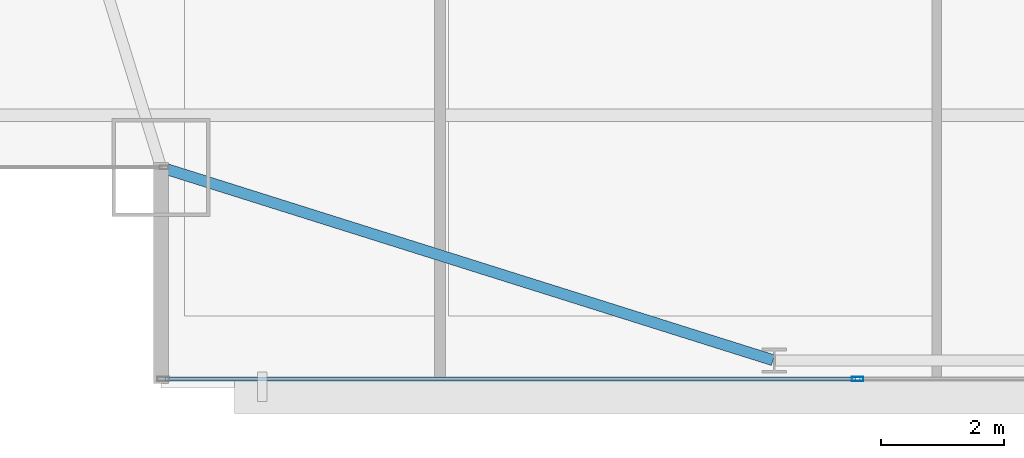
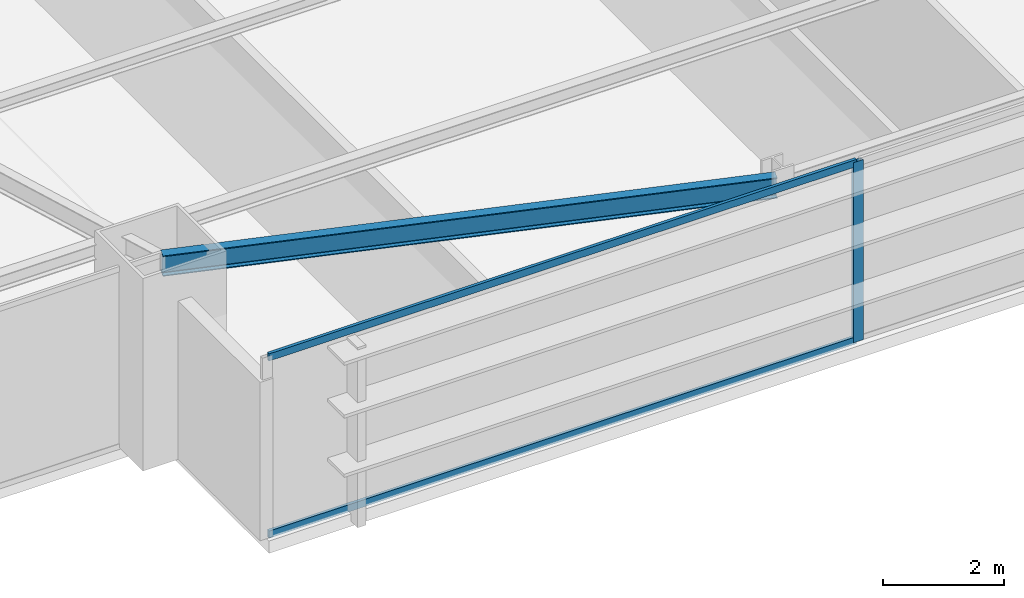
# One storey, part 4 of 32: 3 members, 1 beam, 1 element without a shape of its own.
"""IFC4 building model written with IfcOpenShell, lengths in metres."""

from ifc_helpers import new_model, si_unit, direction, frame, origin, origin_2d, place, context, subcontext, project, spatial, hollow_rectangle, i_section, extrude, source, transform, mapped, material, layer, layer_set, material_profile, profile_set, type_object, type_shapes, element, aggregate, save


model = new_model("IFC4")

# Units and contexts
model_context = context("Model", 3, precision=1e-05, world=origin(), true_north=direction((0.0, 1.0)))
body_context = subcontext(model_context, "Body", "Model", "MODEL_VIEW")
ifc_project = project(units=[si_unit("LENGTHUNIT", "METRE"), si_unit("AREAUNIT", "SQUARE_METRE"), si_unit("VOLUMEUNIT", "CUBIC_METRE"), si_unit("PLANEANGLEUNIT", "RADIAN"), si_unit("MASSUNIT", "GRAM", prefix="KILO")], contexts=[model_context])

# Site, building, storey
site_placement = place(None, origin())
site = spatial("IfcSite", under=ifc_project, at=site_placement, CompositionType="ELEMENT")
building_placement = place(site_placement, origin())
building = spatial("IfcBuilding", under=site, at=building_placement, Name="Varnel Quay Broadcast Tower", CompositionType="ELEMENT")
storey_placement = place(building_placement, frame((0.0, 0.0, 70.5)))
storey = spatial("IfcBuildingStorey", under=building, at=storey_placement, Name="L16", CompositionType="ELEMENT", Elevation=70.5)

# Beam
ifc_material_1 = material(Name="Structural Steel CSA G40.21 350W", Category="steel")
ifc_material_profile_1 = material_profile(ifc_material_1, i_section(OverallWidth=0.180908203125, OverallDepth=0.4169921875, WebThickness=0.010986328125, FlangeThickness=0.018310546875, FilletRadius=0.011962890625, at=origin_2d()), Name="W410X85")
ifc_profile_set_1 = profile_set([ifc_material_profile_1], Name="Structural Steel CSA G40.21 350W")
beam_type = type_object("IfcBeamType", Name="Beam_W410X85", PredefinedType="SPANDREL", material=ifc_profile_set_1)
shared_shape_1 = source(origin(), body_context, "Body", "SweptSolid", [
    extrude(i_section(OverallWidth=0.180908203125, OverallDepth=0.4169921875, WebThickness=0.010986328125, FlangeThickness=0.018310546875, FilletRadius=0.011962890625, at=origin_2d()), origin(), (0.0, 0.0, 1.0), 10.444091796875),
])
type_shapes(beam_type, [shared_shape_1])
beam_placement = place(storey_placement, frame((5.619140625, 4.7939453125, 3.44140625), z_axis=(0.953798277271, -0.300447743003, 0.0), x_axis=(0.300447743003, 0.953798277271, 0.0)))
element("IfcBeam", 1, at=beam_placement, inside=storey, type_object=beam_type, Name="L16 South Spandrel MC-SW-TC-S1", PredefinedType="SPANDREL", context=body_context, shape_type="MappedRepresentation", body=[
    mapped(shared_shape_1, transform((0.0, 0.0, 0.0), x_axis=(1.0, 0.0, 0.0), y_axis=(0.0, 1.0, 0.0), z_axis=(0.0, 0.0, 1.0), scale=1.0)),
])

# Curtain wall, members
ifc_material_2 = material(Name="Anodised Bronze Aluminium 6063-T6", Category="aluminium")
ifc_layer = layer(ifc_material_2, 0.18994140625, Name="Anodised Bronze Aluminium 6063-T6")
ifc_layer_set = layer_set([ifc_layer], Name="Anodised Bronze Aluminium 6063-T6")
curtain_wall_type = type_object("IfcCurtainWallType", Name="CW_LowerTower", PredefinedType="NOTDEFINED", material=ifc_layer_set)
curtain_wall_placement = place(storey_placement, origin())
curtain_wall = element("IfcCurtainWall", 2, at=curtain_wall_placement, inside=storey, type_object=curtain_wall_type, Name="L16 South Unitised Curtain Wall 1", PredefinedType="NOTDEFINED")
ifc_material_profile_2 = material_profile(ifc_material_2, hollow_rectangle(XDim=0.070068359375, YDim=0.18994140625, WallThickness=0.00390625, at=origin_2d()), Name="ALU70X190X4")
ifc_profile_set_2 = profile_set([ifc_material_profile_2], Name="Anodised Bronze Aluminium 6063-T6")
member_type_1 = type_object("IfcMemberType", Name="Mull_CWS-02", PredefinedType="MULLION", material=ifc_profile_set_2)
shared_shape_2 = source(origin(), body_context, "Body", "SweptSolid", [
    extrude(hollow_rectangle(XDim=0.070068359375, YDim=0.18994140625, WallThickness=0.00390625, at=origin_2d()), origin(), (0.0, 0.0, 1.0), 3.64990234375),
])
type_shapes(member_type_1, [shared_shape_2])
member_1_placement = place(storey_placement, frame((16.9599609375, 1.35009765625, 0.0), z_axis=(0.0, 0.0, 1.0), x_axis=(0.0, 1.0, 0.0)))
member_1 = element("IfcMember", 3, at=member_1_placement, type_object=member_type_1, Name="CWS-02 mullion 2", PredefinedType="MULLION", context=body_context, shape_type="MappedRepresentation", body=[
    mapped(shared_shape_2, transform((0.0, 0.0, 0.0), x_axis=(1.0, 0.0, 0.0), y_axis=(0.0, 1.0, 0.0), z_axis=(0.0, 0.0, 1.0), scale=1.0)),
])
ifc_material_profile_3 = material_profile(ifc_material_2, hollow_rectangle(XDim=0.06005859375, YDim=0.14501953125, WallThickness=0.00341796875, at=origin_2d()), Name="ALU60X145X3.5")
ifc_profile_set_3 = profile_set([ifc_material_profile_3], Name="Anodised Bronze Aluminium 6063-T6")
member_type_2 = type_object("IfcMemberType", Name="Tran_CWS-02", PredefinedType="USERDEFINED", material=ifc_profile_set_3)
shared_shape_3 = source(origin(), body_context, "Body", "SweptSolid", [
    extrude(hollow_rectangle(XDim=0.06005859375, YDim=0.14501953125, WallThickness=0.00341796875, at=origin_2d()), origin(), (0.0, 0.0, 1.0), 11.255126953125),
])
type_shapes(member_type_2, [shared_shape_3])
member_2_placement = place(storey_placement, frame((5.669921875, 1.35009765625, 0.030029296875), z_axis=(1.0, 0.0, 0.0), x_axis=(0.0, 1.0, 0.0)))
member_2 = element("IfcMember", 4, at=member_2_placement, type_object=member_type_2, Name="CWS-02 transom 1.1", ObjectType="TRANSOM", PredefinedType="USERDEFINED", context=body_context, shape_type="MappedRepresentation", body=[
    mapped(shared_shape_3, transform((0.0, 0.0, 0.0), x_axis=(1.0, 0.0, 0.0), y_axis=(0.0, 1.0, 0.0), z_axis=(0.0, 0.0, 1.0), scale=1.0)),
])
member_3_placement = place(storey_placement, frame((5.669921875, 1.35009765625, 3.6201171875), z_axis=(1.0, 0.0, 0.0), x_axis=(0.0, 1.0, 0.0)))
member_3 = element("IfcMember", 5, at=member_3_placement, type_object=member_type_2, Name="CWS-02 transom 1.2", ObjectType="TRANSOM", PredefinedType="USERDEFINED", context=body_context, shape_type="MappedRepresentation", body=[
    mapped(shared_shape_3, transform((0.0, 0.0, 0.0), x_axis=(1.0, 0.0, 0.0), y_axis=(0.0, 1.0, 0.0), z_axis=(0.0, 0.0, 1.0), scale=1.0)),
])
aggregate(curtain_wall, [member_1, member_2, member_3])

save(model, "model.ifc")
